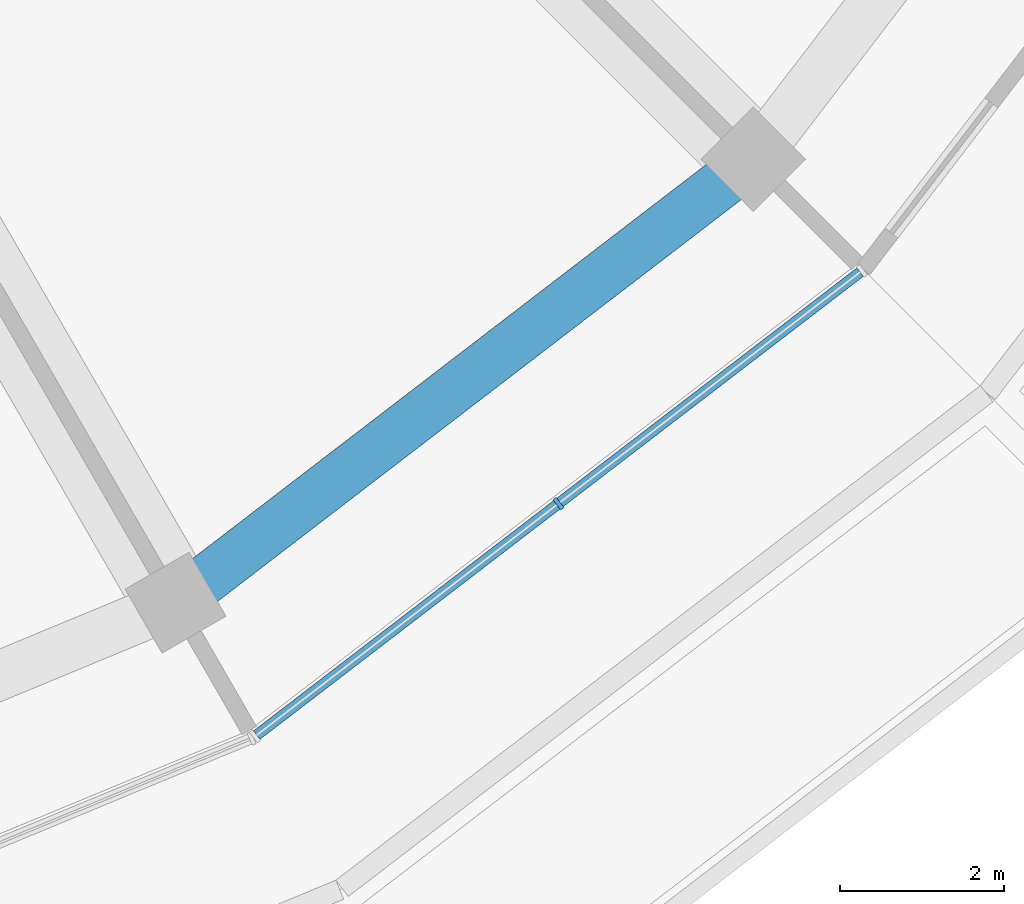
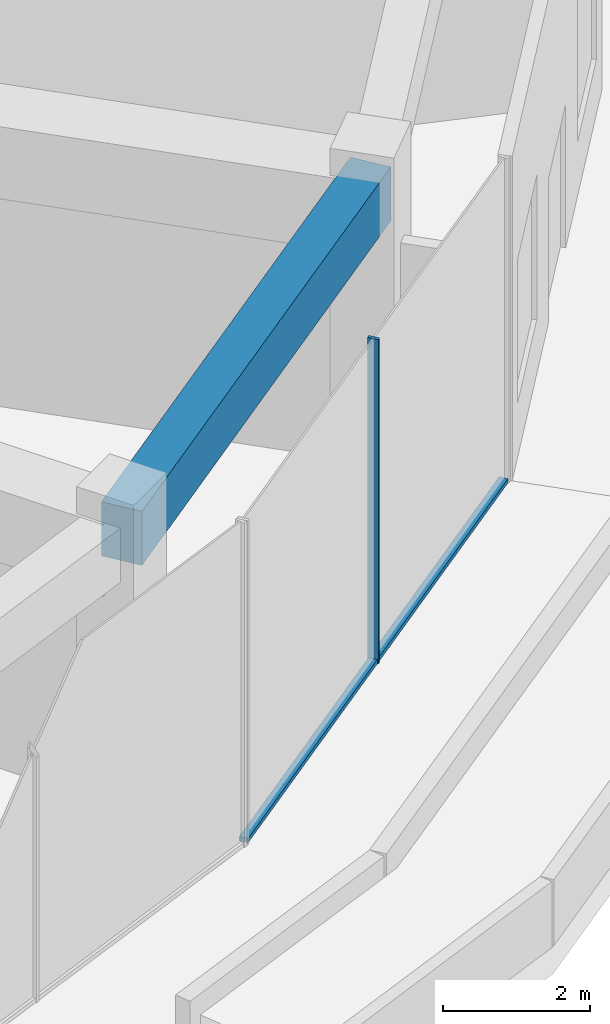
# One storey, part 6 of 26: 3 members, 1 beam, 1 element without a shape of its own.
"""IFC4 building model written with IfcOpenShell, lengths in metres."""

from ifc_helpers import new_model, si_unit, direction, frame, origin, origin_2d, place, context, subcontext, project, spatial, rectangle, extrude, material, layer, layer_set, material_profile, profile_set, type_object, element, aggregate, save


model = new_model("IFC4")

# Units and contexts
model_context = context("Model", 3, precision=1e-05, world=origin(), true_north=direction((0.0, 1.0)))
body_context = subcontext(model_context, "Body", "Model", "MODEL_VIEW")
ifc_project = project(units=[si_unit("LENGTHUNIT", "METRE"), si_unit("AREAUNIT", "SQUARE_METRE"), si_unit("VOLUMEUNIT", "CUBIC_METRE"), si_unit("PLANEANGLEUNIT", "RADIAN"), si_unit("MASSUNIT", "GRAM", prefix="KILO")], contexts=[model_context])

# Site, building, storey
site_placement = place(None, origin())
site = spatial("IfcSite", under=ifc_project, at=site_placement, CompositionType="ELEMENT")
building_placement = place(site_placement, origin())
building = spatial("IfcBuilding", under=site, at=building_placement, Name="Torre Brocal", CompositionType="ELEMENT")
storey_placement = place(building_placement, frame((0.0, 0.0, 12.39990234375)))
storey = spatial("IfcBuildingStorey", under=building, at=storey_placement, Name="L02", CompositionType="ELEMENT", Elevation=12.39990234375)

# Curtain wall, members
ifc_material_1 = material(Name="Aluminium and glass", Category="aluminium")
ifc_layer = layer(ifc_material_1, 0.199951171875)
ifc_layer_set = layer_set([ifc_layer], Name="Aluminium and glass")
curtain_wall_type = type_object("IfcCurtainWallType", Name="CW-6 CURTAIN WALL 5400 HIGH", PredefinedType="NOTDEFINED", material=ifc_layer_set)
curtain_wall_placement = place(storey_placement, origin())
curtain_wall = element("IfcCurtainWall", 1, at=curtain_wall_placement, inside=storey, type_object=curtain_wall_type, Name="CW-6 RUN 21", PredefinedType="NOTDEFINED")
ifc_material_2 = material(Name="Aluminium, dark anodised", Category="aluminium")
ifc_material_profile_1 = material_profile(ifc_material_2, rectangle(XDim=0.159912109375, YDim=0.050048828125, at=origin_2d()), Name="CW-6 MULLION 50X160")
ifc_profile_set_1 = profile_set([ifc_material_profile_1], Name="Aluminium, dark anodised")
member_type_1 = type_object("IfcMemberType", Name="CW-6 MULLION 50X160", PredefinedType="MULLION", material=ifc_profile_set_1)
member_1_placement = place(storey_placement, frame((101.6669921875, 46.762939453125, 0.0), z_axis=(0.0, 0.0, 1.0), x_axis=(-0.608761429009, 0.793353340291, 0.0)))
member_1 = element("IfcMember", 2, at=member_1_placement, type_object=member_type_1, Name="CW6-1 mullion 2", PredefinedType="MULLION", context=body_context, shape_type="SweptSolid", body=[
    extrude(rectangle(XDim=0.159912109375, YDim=0.050048828125, at=origin_2d()), origin(), (0.0, 0.0, 1.0), 5.400146484375),
])
ifc_material_3 = material(Name="Aluminium, dark anodised", Category="aluminium")
ifc_material_profile_2 = material_profile(ifc_material_3, rectangle(XDim=0.1298828125, YDim=0.070068359375, at=origin_2d()), Name="CW-6 TRANSOM 130X70")
ifc_profile_set_2 = profile_set([ifc_material_profile_2], Name="Aluminium, dark anodised")
member_type_2 = type_object("IfcMemberType", Name="CW-6 TRANSOM 130X70", PredefinedType="USERDEFINED", material=ifc_profile_set_2)
member_2_placement = place(storey_placement, frame((97.9892578125, 43.94091796875, 0.03515625), z_axis=(0.793349766746, 0.608766086116, 0.0), x_axis=(-0.608766086116, 0.793349766746, 0.0)))
member_2 = element("IfcMember", 3, at=member_2_placement, type_object=member_type_2, Name="CW6-1 transom 1.1", ObjectType="TRANSOM", PredefinedType="USERDEFINED", context=body_context, shape_type="SweptSolid", body=[
    extrude(rectangle(XDim=0.1298828125, YDim=0.070068359375, at=origin_2d()), origin(), (0.0, 0.0, 1.0), 4.61083984375),
])
member_3_placement = place(storey_placement, frame((101.686767578125, 46.778076171875, 0.03515625), z_axis=(0.793369388573, 0.60874051391, 0.0), x_axis=(-0.60874051391, 0.793369388573, 0.0)))
member_3 = element("IfcMember", 4, at=member_3_placement, type_object=member_type_2, Name="CW6-1 transom 2.1", ObjectType="TRANSOM", PredefinedType="USERDEFINED", context=body_context, shape_type="SweptSolid", body=[
    extrude(rectangle(XDim=0.1298828125, YDim=0.070068359375, at=origin_2d()), origin(), (0.0, 0.0, 1.0), 4.611083984375),
])
aggregate(curtain_wall, [member_1, member_2, member_3])

# Beam
ifc_material_4 = material(Name="Concrete C50", Category="concrete")
ifc_material_profile_3 = material_profile(ifc_material_4, rectangle(XDim=0.60009765625, YDim=0.89990234375, at=origin_2d()), Name="RC 600X900")
ifc_profile_set_3 = profile_set([ifc_material_profile_3], Name="Concrete C50")
beam_type = type_object("IfcBeamType", Name="RC BEAM 600X900 C50 TOP 4950", PredefinedType="BEAM", material=ifc_profile_set_3)
beam_placement = place(storey_placement, frame((97.0, 45.55517578125, 4.5), z_axis=(0.793366788253, 0.608743902882, 0.0), x_axis=(-0.608743902882, 0.793366788253, 0.0)))
element("IfcBeam", 5, at=beam_placement, inside=storey, type_object=beam_type, Name="Beam BT-10", PredefinedType="BEAM", context=body_context, shape_type="SweptSolid", body=[
    extrude(rectangle(XDim=0.60009765625, YDim=0.89990234375, at=origin_2d()), origin(), (0.0, 0.0, 1.0), 8.875732421875),
])

save(model, "model.ifc")
